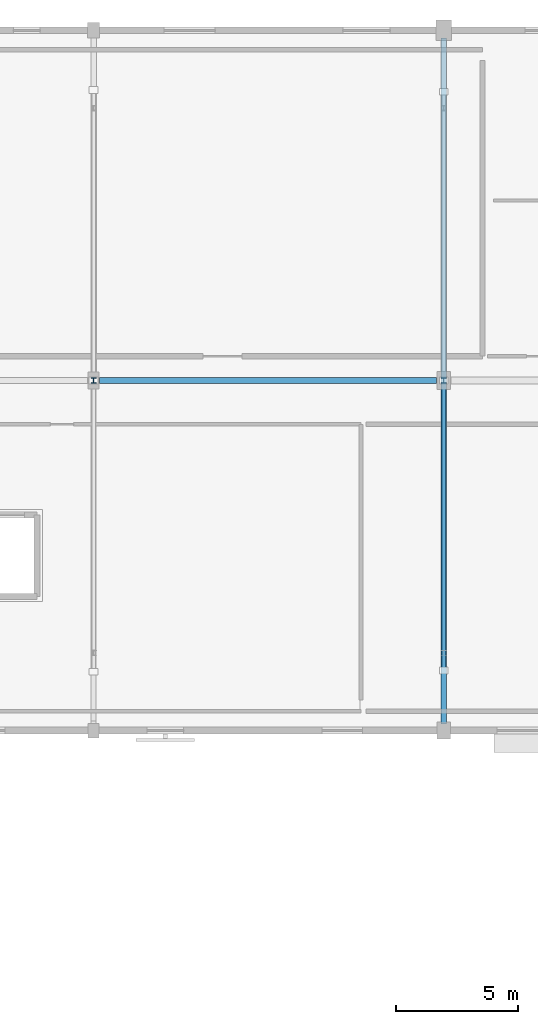
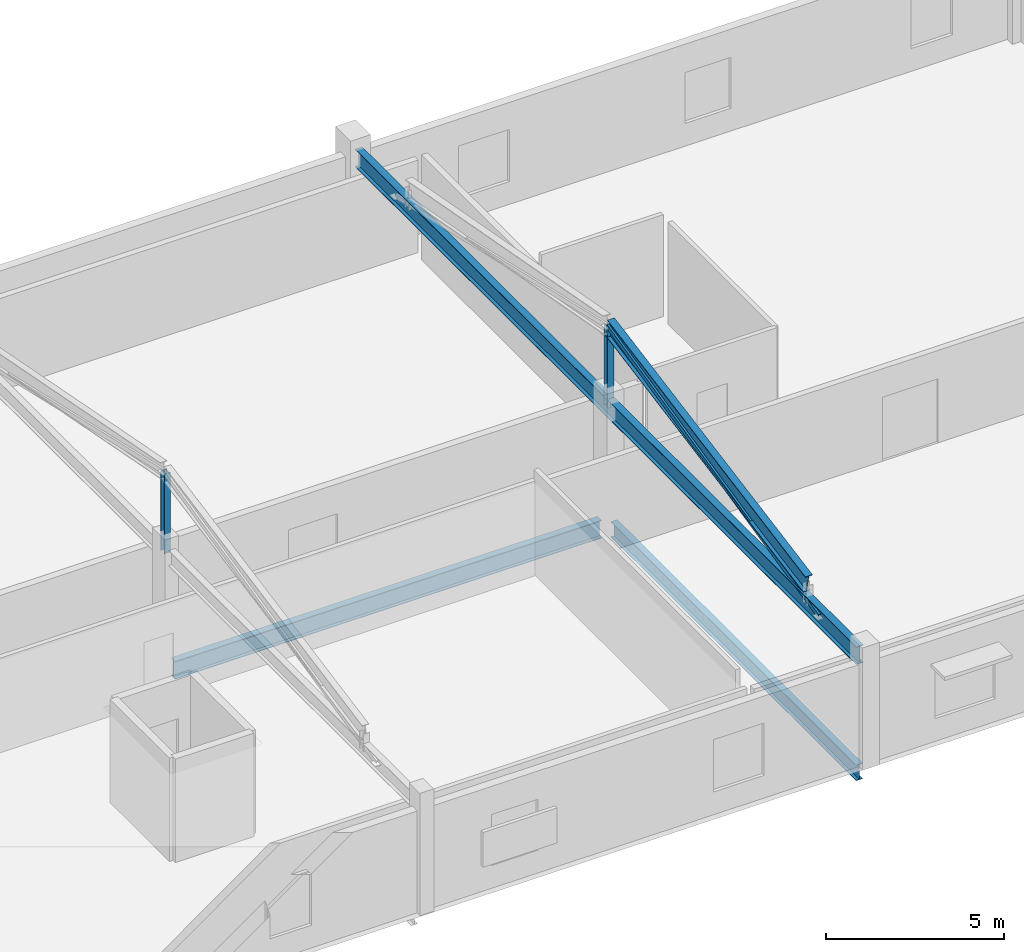
# One storey, part 40 of 92: 4 beams, 3 members.
"""IFC4 building model written with IfcOpenShell, lengths in metres."""

from ifc_helpers import new_model, si_unit, direction, frame, origin, origin_2d, place, context, subcontext, project, spatial, hollow_rectangle, i_section, extrude, material, material_profile, profile_set, type_object, element, save


model = new_model("IFC4")

# Units and contexts
model_context = context("Model", 3, precision=1e-05, world=origin(), true_north=direction((0.0, 1.0)))
body_context = subcontext(model_context, "Body", "Model", "MODEL_VIEW")
ifc_project = project(units=[si_unit("LENGTHUNIT", "METRE"), si_unit("AREAUNIT", "SQUARE_METRE"), si_unit("VOLUMEUNIT", "CUBIC_METRE"), si_unit("PLANEANGLEUNIT", "RADIAN"), si_unit("MASSUNIT", "GRAM", prefix="KILO")], contexts=[model_context])

# Site, building, storey
site_placement = place(None, origin())
site = spatial("IfcSite", under=ifc_project, at=site_placement, CompositionType="ELEMENT")
building_placement = place(site_placement, origin())
building = spatial("IfcBuilding", under=site, at=building_placement, Name="Solanera Park Tramway Depot", CompositionType="ELEMENT")
storey_placement = place(building_placement, frame((0.0, 0.0, 4.800048828125)))
storey = spatial("IfcBuildingStorey", under=building, at=storey_placement, Name="L01", CompositionType="ELEMENT", Elevation=4.800048828125)

# Members
ifc_material_1 = material(Name="Steel AS/NZS 3679.1 Grade 350", Category="steel")
ifc_material_profile_1 = material_profile(ifc_material_1, i_section(OverallWidth=0.205078125, OverallDepth=0.209716796875, WebThickness=0.00927734375, FlangeThickness=0.01416015625, at=origin_2d()), Name="200UC59.5")
ifc_profile_set_1 = profile_set([ifc_material_profile_1], Name="Steel AS/NZS 3679.1 Grade 350")
member_type_1 = type_object("IfcMemberType", Name="Roof Gantry Compression Strut 200UC59.5", PredefinedType="STRUT", material=ifc_profile_set_1)
for number, where, z_axis, x_axis, name in (
    (1, (180.0, 129.60009765625, 3.533447265625), (0.0, 0.0, 1.0), (1.0, 0.0, 0.0), "Hip ROOF TRUSS King Post #0118"),
    (2, (194.39990234375, 129.60009765625, 3.494140625), (0.0, 0.0, 1.0), (1.0, 0.0, 0.0), "Hip ROOF TRUSS King Post #0121"),
):
    element("IfcMember", number, at=place(storey_placement, frame(where, z_axis=z_axis, x_axis=x_axis)), inside=storey, type_object=member_type_1, Name=name, PredefinedType="STRUT", context=body_context, shape_type="SweptSolid", body=[
        extrude(i_section(OverallWidth=0.205078125, OverallDepth=0.209716796875, WebThickness=0.00927734375, FlangeThickness=0.01416015625, at=origin_2d()), origin(), (0.0, 0.0, 1.0), 2.737548828125),
    ])

# Beams
ifc_material_2 = material(Name="Steel AS/NZS 3679.1 Grade 350", Category="steel")
ifc_material_profile_2 = material_profile(ifc_material_2, i_section(OverallWidth=0.209228515625, OverallDepth=0.532958984375, WebThickness=0.01025390625, FlangeThickness=0.015625, at=origin_2d()), Name="530UB92.4")
ifc_profile_set_2 = profile_set([ifc_material_profile_2], Name="Steel AS/NZS 3679.1 Grade 350")
beam_type_1 = type_object("IfcBeamType", Name="Steel Beam 530UB92.4", PredefinedType="BEAM", material=ifc_profile_set_2)
beam_1_placement = place(storey_placement, frame((194.39990234375, 115.5, -0.545654296875), z_axis=(0.0, 1.0, 0.0), x_axis=(-1.0, 0.0, 0.0)))
element("IfcBeam", 3, at=beam_1_placement, inside=storey, type_object=beam_type_1, Name="L01 Primary Y-Girder 530UB92.4 #0082", PredefinedType="BEAM", context=body_context, shape_type="SweptSolid", body=[
    extrude(i_section(OverallWidth=0.209228515625, OverallDepth=0.532958984375, WebThickness=0.01025390625, FlangeThickness=0.015625, at=origin_2d()), origin(), (0.0, 0.0, 1.0), 13.800048828125),
])
ifc_material_3 = material(Name="Steel AS/NZS 3679.1 Grade 350", Category="steel")
ifc_material_profile_3 = material_profile(ifc_material_3, i_section(OverallWidth=0.22900390625, OverallDepth=0.611572265625, WebThickness=0.011962890625, FlangeThickness=0.01953125, at=origin_2d()), Name="610UB125")
ifc_profile_set_3 = profile_set([ifc_material_profile_3], Name="Steel AS/NZS 3679.1 Grade 350")
beam_type_2 = type_object("IfcBeamType", Name="Steel Beam 610UB125", PredefinedType="BEAM", material=ifc_profile_set_3)
beam_2_placement = place(storey_placement, frame((180.25, 129.60009765625, -0.5849609375), z_axis=(1.0, 0.0, 0.0), x_axis=(0.0, 1.0, 0.0)))
element("IfcBeam", 4, at=beam_2_placement, inside=storey, type_object=beam_type_2, Name="L01 Primary X-Girder 610UB125 #0040", PredefinedType="BEAM", context=body_context, shape_type="SweptSolid", body=[
    extrude(i_section(OverallWidth=0.22900390625, OverallDepth=0.611572265625, WebThickness=0.011962890625, FlangeThickness=0.01953125, at=origin_2d()), origin(), (0.0, 0.0, 1.0), 13.85009765625),
])
beam_3_placement = place(storey_placement, frame((194.39990234375, 115.47509765625, 3.494140625), z_axis=(0.0, 1.0, 0.0), x_axis=(-1.0, 0.0, 0.0)))
element("IfcBeam", 5, at=beam_3_placement, inside=storey, type_object=beam_type_2, Name="L01 Hip ROOF TRUSS Tie 610UB125 #1059", PredefinedType="BEAM", context=body_context, shape_type="SweptSolid", body=[
    extrude(i_section(OverallWidth=0.22900390625, OverallDepth=0.611572265625, WebThickness=0.011962890625, FlangeThickness=0.01953125, at=origin_2d()), origin(), (0.0, 0.0, 1.0), 28.199951171875),
])
beam_4_placement = place(storey_placement, frame((194.39990234375, 118.39990234375, 4.165771484375), z_axis=(0.0, 0.983235676418, 0.182339256933), x_axis=(-1.0, 0.0, 0.0)))
element("IfcBeam", 6, at=beam_4_placement, inside=storey, type_object=beam_type_2, Name="L01 Hip ROOF TRUSS Rafter 610UB125 #1060", PredefinedType="BEAM", context=body_context, shape_type="SweptSolid", body=[
    extrude(i_section(OverallWidth=0.22900390625, OverallDepth=0.611572265625, WebThickness=0.011962890625, FlangeThickness=0.01953125, at=origin_2d()), origin(), (0.0, 0.0, 1.0), 11.330078125),
])

# Member
ifc_material_4 = material(Name="Steel AS/NZS 1163 Grade C350L0", Category="steel")
ifc_material_profile_4 = material_profile(ifc_material_4, hollow_rectangle(XDim=0.14990234375, YDim=0.14990234375, WallThickness=0.006103515625, at=origin_2d()), Name="150x150x6.0 SHS")
ifc_profile_set_4 = profile_set([ifc_material_profile_4], Name="Steel AS/NZS 1163 Grade C350L0")
member_type_2 = type_object("IfcMemberType", Name="Truss and Frame Brace 150x150x6.0 SHS", PredefinedType="BRACE", material=ifc_profile_set_4)
member_placement = place(storey_placement, frame((194.39990234375, 117.675048828125, 3.494140625), z_axis=(0.0, 0.974648163329, 0.223743061837), x_axis=(-1.0, 0.0, 0.0)))
element("IfcMember", 7, at=member_placement, inside=storey, type_object=member_type_2, Name="Hip ROOF TRUSS Web #0447", PredefinedType="BRACE", context=body_context, shape_type="SweptSolid", body=[
    extrude(hollow_rectangle(XDim=0.14990234375, YDim=0.14990234375, WallThickness=0.006103515625, at=origin_2d()), origin(), (0.0, 0.0, 1.0), 12.2353515625),
])

save(model, "model.ifc")
